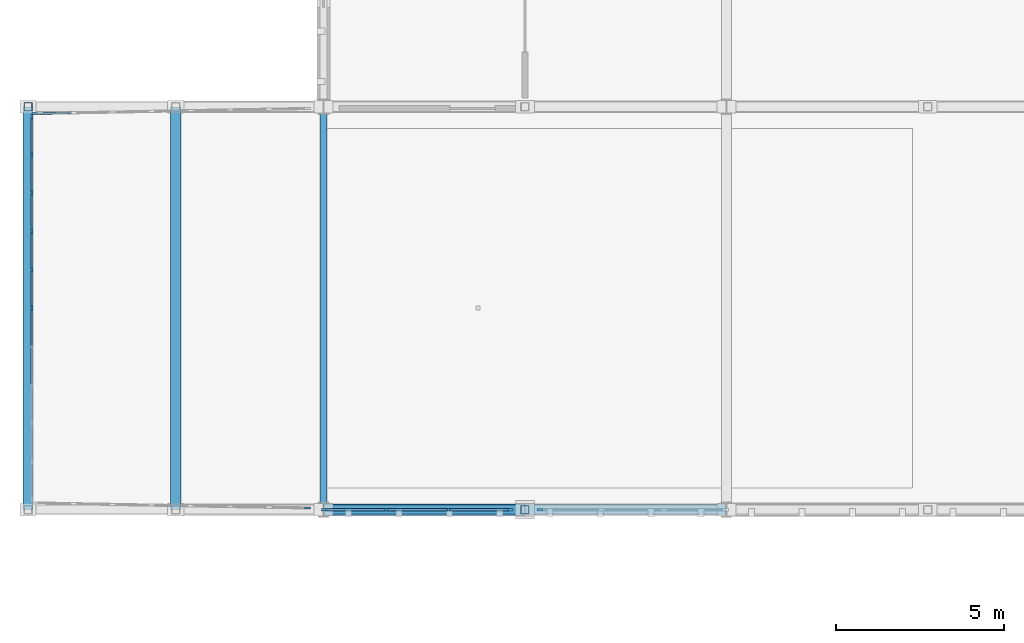
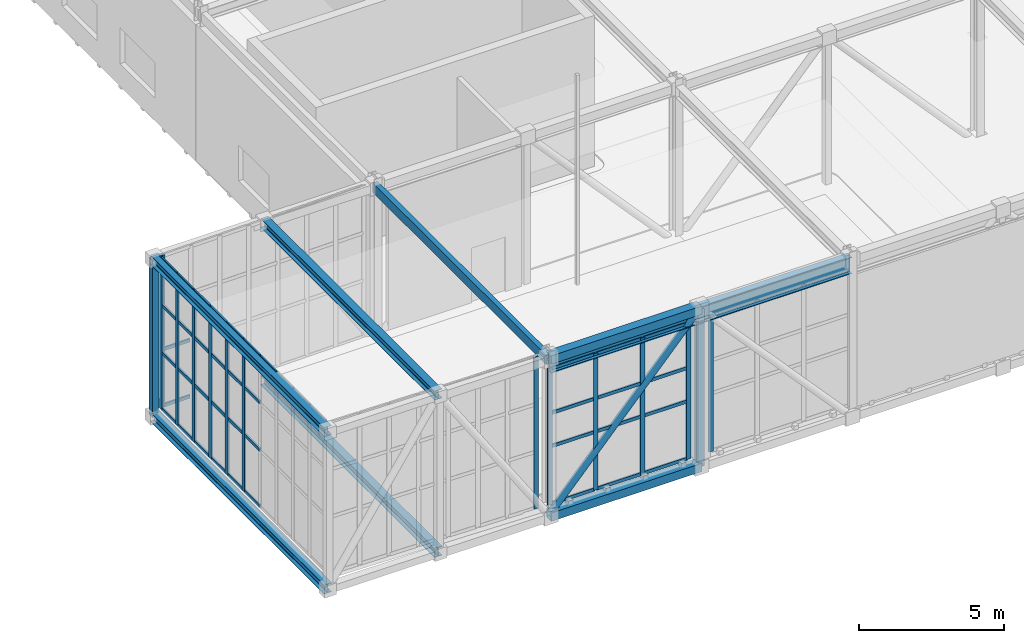
# One storey, part 13 of 62: 57 members, 6 beams, 5 elements without a shape of their own.
"""IFC4 building model written with IfcOpenShell, lengths in metres."""

from ifc_helpers import new_model, si_unit, direction, frame, origin, origin_2d, place, context, subcontext, project, spatial, rectangle, hollow_rectangle, hollow_circle, i_section, extrude, material, layer, layer_set, material_profile, profile_set, type_object, element, aggregate, save


model = new_model("IFC4")

# Units and contexts
model_context = context("Model", 3, precision=1e-05, world=origin(), true_north=direction((0.0, 1.0)))
body_context = subcontext(model_context, "Body", "Model", "MODEL_VIEW")
ifc_project = project(units=[si_unit("LENGTHUNIT", "METRE"), si_unit("AREAUNIT", "SQUARE_METRE"), si_unit("VOLUMEUNIT", "CUBIC_METRE"), si_unit("PLANEANGLEUNIT", "RADIAN"), si_unit("MASSUNIT", "GRAM", prefix="KILO")], contexts=[model_context])

# Site, building, storey
site_placement = place(None, origin())
site = spatial("IfcSite", under=ifc_project, at=site_placement, CompositionType="ELEMENT")
building_placement = place(site_placement, origin())
building = spatial("IfcBuilding", under=site, at=building_placement, Name="Zlatogorsky Bluff Art Gallery", CompositionType="ELEMENT")
storey_placement = place(building_placement, frame((0.0, 0.0, 16.800048828125)))
storey = spatial("IfcBuildingStorey", under=building, at=storey_placement, Name="L03", CompositionType="ELEMENT", Elevation=16.800048828125)

# Beams
ifc_material_1 = material(Name="Steel S355", Category="steel")
ifc_material_profile_1 = material_profile(ifc_material_1, i_section(OverallWidth=0.300048828125, OverallDepth=0.699951171875, WebThickness=0.01708984375, FlangeThickness=0.031982421875, FilletRadius=0.027099609375, at=origin_2d()), Name="HEB 700")
ifc_profile_set_1 = profile_set([ifc_material_profile_1], Name="Steel S355")
beam_type_1 = type_object("IfcBeamType", Name="Beam BM-02 HEB 700", PredefinedType="BEAM", material=ifc_profile_set_1)
beam_1_placement = place(storey_placement, frame((0.014892578125, 84.0, 5.97998046875), z_axis=(1.0, 0.0, 0.0), x_axis=(0.0, 1.0, 0.0)))
element("IfcBeam", 1, at=beam_1_placement, inside=storey, type_object=beam_type_1, Name="Primary girder BM-02 L03 A-B/9", PredefinedType="BEAM", context=body_context, shape_type="SweptSolid", body=[
    extrude(i_section(OverallWidth=0.300048828125, OverallDepth=0.699951171875, WebThickness=0.01708984375, FlangeThickness=0.031982421875, FilletRadius=0.027099609375, at=origin_2d()), origin(), (0.0, 0.0, 1.0), 11.97021484375),
])
ifc_material_profile_2 = material_profile(ifc_material_1, i_section(OverallWidth=0.300048828125, OverallDepth=0.389892578125, WebThickness=0.010986328125, FlangeThickness=0.01904296875, FilletRadius=0.027099609375, at=origin_2d()), Name="HEA 400")
ifc_profile_set_2 = profile_set([ifc_material_profile_2], Name="Steel S355")
beam_type_2 = type_object("IfcBeamType", Name="Beam BM-09 HEA 400", PredefinedType="BEAM", material=ifc_profile_set_2)
for number, where, z_axis, x_axis, name in (
    (2, (-8.800048828125, 84.0, -0.43505859375), (0.0, 1.0, 0.0), (-1.0, 0.0, 0.0), "Lookout floor cross-beam 1"),
    (3, (-8.800048828125, 84.0, 6.18505859375), (0.0, 1.0, 0.0), (-1.0, 0.0, 0.0), "Lookout roof cross-beam 1"),
    (4, (-4.39990234375, 84.0, -0.43505859375), (0.0, 1.0, 0.0), (-1.0, 0.0, 0.0), "Lookout floor cross-beam 2"),
    (5, (-4.39990234375, 84.0, 6.18505859375), (0.0, 1.0, 0.0), (-1.0, 0.0, 0.0), "Lookout roof cross-beam 2"),
):
    element("IfcBeam", number, at=place(storey_placement, frame(where, z_axis=z_axis, x_axis=x_axis)), inside=storey, type_object=beam_type_2, Name=name, PredefinedType="BEAM", context=body_context, shape_type="SweptSolid", body=[
        extrude(i_section(OverallWidth=0.300048828125, OverallDepth=0.389892578125, WebThickness=0.010986328125, FlangeThickness=0.01904296875, FilletRadius=0.027099609375, at=origin_2d()), origin(), (0.0, 0.0, 1.0), 12.0),
    ])
ifc_material_profile_3 = material_profile(ifc_material_1, hollow_rectangle(XDim=0.199951171875, YDim=0.39990234375, WallThickness=0.01611328125, at=origin_2d()), Name="RHS 400x200x16")
ifc_profile_set_3 = profile_set([ifc_material_profile_3], Name="Steel S355")
beam_type_3 = type_object("IfcBeamType", Name="Beam SP-02 RHS 400x200x16", PredefinedType="SPANDREL", material=ifc_profile_set_3)
beam_2_placement = place(storey_placement, frame((0.0, 84.014892578125, 6.1298828125), z_axis=(0.0, 1.0, 0.0), x_axis=(-1.0, 0.0, 0.0)))
element("IfcBeam", 6, at=beam_2_placement, inside=storey, type_object=beam_type_3, Name="Primary girder SP-02 L03 A/9-10", PredefinedType="SPANDREL", context=body_context, shape_type="SweptSolid", body=[
    extrude(hollow_rectangle(XDim=0.199951171875, YDim=0.39990234375, WallThickness=0.01611328125, at=origin_2d()), origin(), (0.0, 0.0, 1.0), 11.97021484375),
])

# Curtain wall, members
ifc_material_2 = material(Name="Anodised Bronze Aluminium and Low-Iron Triple Glazing", Category="aluminium")
ifc_layer_1 = layer(ifc_material_2, 0.219970703125)
ifc_layer_set_1 = layer_set([ifc_layer_1], Name="Curtain Wall CW-04")
curtain_wall_type_1 = type_object("IfcCurtainWallType", Name="Curtain Wall CW-04", PredefinedType="USERDEFINED", material=ifc_layer_set_1)
curtain_wall_1_placement = place(storey_placement, origin())
curtain_wall_1 = element("IfcCurtainWall", 7, at=curtain_wall_1_placement, inside=storey, type_object=curtain_wall_type_1, Name="Unitised curtain wall CW-04 L03 S 0.8-A", ObjectType="CURTAIN WALL", PredefinedType="USERDEFINED")
ifc_material_3 = material(Name="Anodised Bronze Aluminium", Category="aluminium")
ifc_material_profile_4 = material_profile(ifc_material_3, rectangle(XDim=0.06494140625, YDim=0.179931640625, at=origin_2d()), Name="ALU MULLION 65x180")
ifc_profile_set_4 = profile_set([ifc_material_profile_4], Name="Anodised Bronze Aluminium")
member_type_1 = type_object("IfcMemberType", Name="Curtain Mullion ML-01", PredefinedType="MULLION", material=ifc_profile_set_4)
member_1_placement = place(storey_placement, frame((0.032470703125, 84.0, 0.0), z_axis=(0.0, 0.0, 1.0), x_axis=(0.0, 1.0, 0.0)))
member_1 = element("IfcMember", 8, at=member_1_placement, type_object=member_type_1, Name="CW-04 mullion 1", PredefinedType="MULLION", context=body_context, shape_type="SweptSolid", body=[
    extrude(rectangle(XDim=0.06494140625, YDim=0.179931640625, at=origin_2d()), origin(), (0.0, 0.0, 1.0), 5.75),
])
member_2_placement = place(storey_placement, frame((1.860107421875, 84.0, 0.0), z_axis=(0.0, 0.0, 1.0), x_axis=(0.0, 1.0, 0.0)))
member_2 = element("IfcMember", 9, at=member_2_placement, type_object=member_type_1, Name="CW-04 mullion 2", PredefinedType="MULLION", context=body_context, shape_type="SweptSolid", body=[
    extrude(rectangle(XDim=0.06494140625, YDim=0.179931640625, at=origin_2d()), origin(), (0.0, 0.0, 1.0), 5.75),
])
member_3_placement = place(storey_placement, frame((3.719970703125, 84.0, 0.0), z_axis=(0.0, 0.0, 1.0), x_axis=(0.0, 1.0, 0.0)))
member_3 = element("IfcMember", 10, at=member_3_placement, type_object=member_type_1, Name="CW-04 mullion 3", PredefinedType="MULLION", context=body_context, shape_type="SweptSolid", body=[
    extrude(rectangle(XDim=0.06494140625, YDim=0.179931640625, at=origin_2d()), origin(), (0.0, 0.0, 1.0), 5.75),
])
member_4_placement = place(storey_placement, frame((5.547607421875, 84.0, 0.0), z_axis=(0.0, 0.0, 1.0), x_axis=(0.0, 1.0, 0.0)))
member_4 = element("IfcMember", 11, at=member_4_placement, type_object=member_type_1, Name="CW-04 mullion 4", PredefinedType="MULLION", context=body_context, shape_type="SweptSolid", body=[
    extrude(rectangle(XDim=0.06494140625, YDim=0.179931640625, at=origin_2d()), origin(), (0.0, 0.0, 1.0), 5.75),
])

# Curtain wall, member
curtain_wall_2_placement = place(storey_placement, origin())
curtain_wall_2 = element("IfcCurtainWall", 12, at=curtain_wall_2_placement, inside=storey, type_object=curtain_wall_type_1, Name="Unitised curtain wall CW-04 L03 S 0.8-B", ObjectType="CURTAIN WALL", PredefinedType="USERDEFINED")
member_5_placement = place(storey_placement, frame((6.452392578125, 84.0, 0.0), z_axis=(0.0, 0.0, 1.0), x_axis=(0.0, 1.0, 0.0)))
member_5 = element("IfcMember", 13, at=member_5_placement, type_object=member_type_1, Name="CW-04 mullion 1", PredefinedType="MULLION", context=body_context, shape_type="SweptSolid", body=[
    extrude(rectangle(XDim=0.06494140625, YDim=0.179931640625, at=origin_2d()), origin(), (0.0, 0.0, 1.0), 5.75),
])
aggregate(curtain_wall_2, [member_5])

# Curtain wall, members
ifc_layer_2 = layer(ifc_material_2, 0.179931640625)
ifc_layer_set_2 = layer_set([ifc_layer_2], Name="Curtain Wall CW-03")
curtain_wall_type_2 = type_object("IfcCurtainWallType", Name="Curtain Wall CW-03", PredefinedType="USERDEFINED", material=ifc_layer_set_2)
curtain_wall_3_placement = place(storey_placement, origin())
curtain_wall_3 = element("IfcCurtainWall", 14, at=curtain_wall_3_placement, inside=storey, type_object=curtain_wall_type_2, Name="Cantilevered lookout curtain wall W", ObjectType="CURTAIN WALL", PredefinedType="USERDEFINED")
member_6_placement = place(storey_placement, frame((-8.679931640625, 95.6875, 0.0), z_axis=(0.0, 0.0, 1.0), x_axis=(1.0, 0.0, 0.0)))
member_6 = element("IfcMember", 15, at=member_6_placement, type_object=member_type_1, Name="CW-03 mullion 1", PredefinedType="MULLION", context=body_context, shape_type="SweptSolid", body=[
    extrude(rectangle(XDim=0.06494140625, YDim=0.179931640625, at=origin_2d()), origin(), (0.0, 0.0, 1.0), 6.3798828125),
])
member_7_placement = place(storey_placement, frame((-8.679931640625, 94.575927734375, 0.0), z_axis=(0.0, 0.0, 1.0), x_axis=(1.0, 0.0, 0.0)))
member_7 = element("IfcMember", 16, at=member_7_placement, type_object=member_type_1, Name="CW-03 mullion 2", PredefinedType="MULLION", context=body_context, shape_type="SweptSolid", body=[
    extrude(rectangle(XDim=0.06494140625, YDim=0.179931640625, at=origin_2d()), origin(), (0.0, 0.0, 1.0), 6.3798828125),
])
member_8_placement = place(storey_placement, frame((-8.679931640625, 93.431884765625, 0.0), z_axis=(0.0, 0.0, 1.0), x_axis=(1.0, 0.0, 0.0)))
member_8 = element("IfcMember", 17, at=member_8_placement, type_object=member_type_1, Name="CW-03 mullion 3", PredefinedType="MULLION", context=body_context, shape_type="SweptSolid", body=[
    extrude(rectangle(XDim=0.06494140625, YDim=0.179931640625, at=origin_2d()), origin(), (0.0, 0.0, 1.0), 6.3798828125),
])
member_9_placement = place(storey_placement, frame((-8.679931640625, 92.2880859375, 0.0), z_axis=(0.0, 0.0, 1.0), x_axis=(1.0, 0.0, 0.0)))
member_9 = element("IfcMember", 18, at=member_9_placement, type_object=member_type_1, Name="CW-03 mullion 4", PredefinedType="MULLION", context=body_context, shape_type="SweptSolid", body=[
    extrude(rectangle(XDim=0.06494140625, YDim=0.179931640625, at=origin_2d()), origin(), (0.0, 0.0, 1.0), 6.3798828125),
])
member_10_placement = place(storey_placement, frame((-8.679931640625, 91.14404296875, 0.0), z_axis=(0.0, 0.0, 1.0), x_axis=(1.0, 0.0, 0.0)))
member_10 = element("IfcMember", 19, at=member_10_placement, type_object=member_type_1, Name="CW-03 mullion 5", PredefinedType="MULLION", context=body_context, shape_type="SweptSolid", body=[
    extrude(rectangle(XDim=0.06494140625, YDim=0.179931640625, at=origin_2d()), origin(), (0.0, 0.0, 1.0), 6.3798828125),
])
member_11_placement = place(storey_placement, frame((-8.679931640625, 90.0, 0.0), z_axis=(0.0, 0.0, 1.0), x_axis=(1.0, 0.0, 0.0)))
member_11 = element("IfcMember", 20, at=member_11_placement, type_object=member_type_1, Name="CW-03 mullion 6", PredefinedType="MULLION", context=body_context, shape_type="SweptSolid", body=[
    extrude(rectangle(XDim=0.06494140625, YDim=0.179931640625, at=origin_2d()), origin(), (0.0, 0.0, 1.0), 6.3798828125),
])

# Curtain wall, member
curtain_wall_4_placement = place(storey_placement, origin())
curtain_wall_4 = element("IfcCurtainWall", 21, at=curtain_wall_4_placement, inside=storey, type_object=curtain_wall_type_2, Name="Cantilevered lookout curtain wall S", ObjectType="CURTAIN WALL", PredefinedType="USERDEFINED")
member_12_placement = place(storey_placement, frame((-0.482421875, 84.050537109375, 0.0), z_axis=(0.0, 0.0, 1.0), x_axis=(0.018356759503, 0.999831500494, 0.0)))
member_12 = element("IfcMember", 22, at=member_12_placement, type_object=member_type_1, Name="CW-03 mullion 8", PredefinedType="MULLION", context=body_context, shape_type="SweptSolid", body=[
    extrude(rectangle(XDim=0.06494140625, YDim=0.179931640625, at=origin_2d()), origin(), (0.0, 0.0, 1.0), 6.3798828125),
])
aggregate(curtain_wall_4, [member_12])

curtain_wall_5_placement = place(storey_placement, origin())
curtain_wall_5 = element("IfcCurtainWall", 23, at=curtain_wall_5_placement, inside=storey, type_object=curtain_wall_type_2, Name="Cantilevered lookout curtain wall N", ObjectType="CURTAIN WALL", PredefinedType="USERDEFINED")
member_13_placement = place(storey_placement, frame((-8.58740234375, 95.800537109375, 0.0), z_axis=(0.0, 0.0, 1.0), x_axis=(0.018356759503, -0.999831500494, 0.0)))
member_13 = element("IfcMember", 24, at=member_13_placement, type_object=member_type_1, Name="CW-03 mullion 8", PredefinedType="MULLION", context=body_context, shape_type="SweptSolid", body=[
    extrude(rectangle(XDim=0.06494140625, YDim=0.179931640625, at=origin_2d()), origin(), (0.0, 0.0, 1.0), 6.3798828125),
])

# Member
ifc_material_profile_5 = material_profile(ifc_material_3, rectangle(XDim=0.06494140625, YDim=0.139892578125, at=origin_2d()), Name="ALU TRANSOM 65x140")
ifc_profile_set_5 = profile_set([ifc_material_profile_5], Name="Anodised Bronze Aluminium")
member_type_2 = type_object("IfcMemberType", Name="Curtain Transom TR-01", PredefinedType="USERDEFINED", material=ifc_profile_set_5)
member_14_placement = place(storey_placement, frame((0.06494140625, 84.0, 0.032470703125), z_axis=(1.0, 0.0, 0.0), x_axis=(0.0, 1.0, 0.0)))
member_14 = element("IfcMember", 25, at=member_14_placement, type_object=member_type_2, Name="CW-04 transom 1.1", ObjectType="TRANSOM", PredefinedType="USERDEFINED", context=body_context, shape_type="SweptSolid", body=[
    extrude(rectangle(XDim=0.06494140625, YDim=0.139892578125, at=origin_2d()), origin(), (0.0, 0.0, 1.0), 1.762451171875),
])

member_15_placement = place(storey_placement, frame((0.06494140625, 84.0, 2.449951171875), z_axis=(1.0, 0.0, 0.0), x_axis=(0.0, 1.0, 0.0)))
member_15 = element("IfcMember", 26, at=member_15_placement, type_object=member_type_2, Name="CW-04 transom 1.2", ObjectType="TRANSOM", PredefinedType="USERDEFINED", context=body_context, shape_type="SweptSolid", body=[
    extrude(rectangle(XDim=0.06494140625, YDim=0.139892578125, at=origin_2d()), origin(), (0.0, 0.0, 1.0), 1.762451171875),
])

member_16_placement = place(storey_placement, frame((0.06494140625, 84.0, 3.849853515625), z_axis=(1.0, 0.0, 0.0), x_axis=(0.0, 1.0, 0.0)))
member_16 = element("IfcMember", 27, at=member_16_placement, type_object=member_type_2, Name="CW-04 transom 1.3", ObjectType="TRANSOM", PredefinedType="USERDEFINED", context=body_context, shape_type="SweptSolid", body=[
    extrude(rectangle(XDim=0.06494140625, YDim=0.139892578125, at=origin_2d()), origin(), (0.0, 0.0, 1.0), 1.762451171875),
])

member_17_placement = place(storey_placement, frame((0.06494140625, 84.0, 5.717529296875), z_axis=(1.0, 0.0, 0.0), x_axis=(0.0, 1.0, 0.0)))
member_17 = element("IfcMember", 28, at=member_17_placement, type_object=member_type_2, Name="CW-04 transom 1.4", ObjectType="TRANSOM", PredefinedType="USERDEFINED", context=body_context, shape_type="SweptSolid", body=[
    extrude(rectangle(XDim=0.06494140625, YDim=0.139892578125, at=origin_2d()), origin(), (0.0, 0.0, 1.0), 1.762451171875),
])

member_18_placement = place(storey_placement, frame((1.892578125, 84.0, 0.032470703125), z_axis=(1.0, 0.0, 0.0), x_axis=(0.0, 1.0, 0.0)))
member_18 = element("IfcMember", 29, at=member_18_placement, type_object=member_type_2, Name="CW-04 transom 2.1", ObjectType="TRANSOM", PredefinedType="USERDEFINED", context=body_context, shape_type="SweptSolid", body=[
    extrude(rectangle(XDim=0.06494140625, YDim=0.139892578125, at=origin_2d()), origin(), (0.0, 0.0, 1.0), 1.794921875),
])

member_19_placement = place(storey_placement, frame((1.892578125, 84.0, 2.449951171875), z_axis=(1.0, 0.0, 0.0), x_axis=(0.0, 1.0, 0.0)))
member_19 = element("IfcMember", 30, at=member_19_placement, type_object=member_type_2, Name="CW-04 transom 2.2", ObjectType="TRANSOM", PredefinedType="USERDEFINED", context=body_context, shape_type="SweptSolid", body=[
    extrude(rectangle(XDim=0.06494140625, YDim=0.139892578125, at=origin_2d()), origin(), (0.0, 0.0, 1.0), 1.794921875),
])

member_20_placement = place(storey_placement, frame((1.892578125, 84.0, 3.849853515625), z_axis=(1.0, 0.0, 0.0), x_axis=(0.0, 1.0, 0.0)))
member_20 = element("IfcMember", 31, at=member_20_placement, type_object=member_type_2, Name="CW-04 transom 2.3", ObjectType="TRANSOM", PredefinedType="USERDEFINED", context=body_context, shape_type="SweptSolid", body=[
    extrude(rectangle(XDim=0.06494140625, YDim=0.139892578125, at=origin_2d()), origin(), (0.0, 0.0, 1.0), 1.794921875),
])

member_21_placement = place(storey_placement, frame((1.892578125, 84.0, 5.717529296875), z_axis=(1.0, 0.0, 0.0), x_axis=(0.0, 1.0, 0.0)))
member_21 = element("IfcMember", 32, at=member_21_placement, type_object=member_type_2, Name="CW-04 transom 2.4", ObjectType="TRANSOM", PredefinedType="USERDEFINED", context=body_context, shape_type="SweptSolid", body=[
    extrude(rectangle(XDim=0.06494140625, YDim=0.139892578125, at=origin_2d()), origin(), (0.0, 0.0, 1.0), 1.794921875),
])

member_22_placement = place(storey_placement, frame((3.75244140625, 84.0, 0.032470703125), z_axis=(1.0, 0.0, 0.0), x_axis=(0.0, 1.0, 0.0)))
member_22 = element("IfcMember", 33, at=member_22_placement, type_object=member_type_2, Name="CW-04 transom 3.1", ObjectType="TRANSOM", PredefinedType="USERDEFINED", context=body_context, shape_type="SweptSolid", body=[
    extrude(rectangle(XDim=0.06494140625, YDim=0.139892578125, at=origin_2d()), origin(), (0.0, 0.0, 1.0), 1.762451171875),
])

member_23_placement = place(storey_placement, frame((3.75244140625, 84.0, 2.449951171875), z_axis=(1.0, 0.0, 0.0), x_axis=(0.0, 1.0, 0.0)))
member_23 = element("IfcMember", 34, at=member_23_placement, type_object=member_type_2, Name="CW-04 transom 3.2", ObjectType="TRANSOM", PredefinedType="USERDEFINED", context=body_context, shape_type="SweptSolid", body=[
    extrude(rectangle(XDim=0.06494140625, YDim=0.139892578125, at=origin_2d()), origin(), (0.0, 0.0, 1.0), 1.762451171875),
])

member_24_placement = place(storey_placement, frame((3.75244140625, 84.0, 3.849853515625), z_axis=(1.0, 0.0, 0.0), x_axis=(0.0, 1.0, 0.0)))
member_24 = element("IfcMember", 35, at=member_24_placement, type_object=member_type_2, Name="CW-04 transom 3.3", ObjectType="TRANSOM", PredefinedType="USERDEFINED", context=body_context, shape_type="SweptSolid", body=[
    extrude(rectangle(XDim=0.06494140625, YDim=0.139892578125, at=origin_2d()), origin(), (0.0, 0.0, 1.0), 1.762451171875),
])

member_25_placement = place(storey_placement, frame((3.75244140625, 84.0, 5.717529296875), z_axis=(1.0, 0.0, 0.0), x_axis=(0.0, 1.0, 0.0)))
member_25 = element("IfcMember", 36, at=member_25_placement, type_object=member_type_2, Name="CW-04 transom 3.4", ObjectType="TRANSOM", PredefinedType="USERDEFINED", context=body_context, shape_type="SweptSolid", body=[
    extrude(rectangle(XDim=0.06494140625, YDim=0.139892578125, at=origin_2d()), origin(), (0.0, 0.0, 1.0), 1.762451171875),
])

aggregate(curtain_wall_1, [member_1, member_2, member_3, member_4, member_14, member_15, member_16, member_17, member_18, member_19, member_20, member_21, member_22, member_23, member_24, member_25])

member_26_placement = place(storey_placement, frame((-8.679931640625, 95.655029296875, 0.032470703125), z_axis=(0.0, -1.0, 0.0), x_axis=(1.0, 0.0, 0.0)))
member_26 = element("IfcMember", 37, at=member_26_placement, type_object=member_type_2, Name="CW-03 transom 1.1", ObjectType="TRANSOM", PredefinedType="USERDEFINED", context=body_context, shape_type="SweptSolid", body=[
    extrude(rectangle(XDim=0.06494140625, YDim=0.139892578125, at=origin_2d()), origin(), (0.0, 0.0, 1.0), 1.046630859375),
])

member_27_placement = place(storey_placement, frame((-8.679931640625, 95.655029296875, 2.39990234375), z_axis=(0.0, -1.0, 0.0), x_axis=(1.0, 0.0, 0.0)))
member_27 = element("IfcMember", 38, at=member_27_placement, type_object=member_type_2, Name="CW-03 transom 1.2", ObjectType="TRANSOM", PredefinedType="USERDEFINED", context=body_context, shape_type="SweptSolid", body=[
    extrude(rectangle(XDim=0.06494140625, YDim=0.139892578125, at=origin_2d()), origin(), (0.0, 0.0, 1.0), 1.046630859375),
])

member_28_placement = place(storey_placement, frame((-8.679931640625, 95.655029296875, 4.39990234375), z_axis=(0.0, -1.0, 0.0), x_axis=(1.0, 0.0, 0.0)))
member_28 = element("IfcMember", 39, at=member_28_placement, type_object=member_type_2, Name="CW-03 transom 1.3", ObjectType="TRANSOM", PredefinedType="USERDEFINED", context=body_context, shape_type="SweptSolid", body=[
    extrude(rectangle(XDim=0.06494140625, YDim=0.139892578125, at=origin_2d()), origin(), (0.0, 0.0, 1.0), 1.046630859375),
])

member_29_placement = place(storey_placement, frame((-8.679931640625, 95.655029296875, 6.347412109375), z_axis=(0.0, -1.0, 0.0), x_axis=(1.0, 0.0, 0.0)))
member_29 = element("IfcMember", 40, at=member_29_placement, type_object=member_type_2, Name="CW-03 transom 1.4", ObjectType="TRANSOM", PredefinedType="USERDEFINED", context=body_context, shape_type="SweptSolid", body=[
    extrude(rectangle(XDim=0.06494140625, YDim=0.139892578125, at=origin_2d()), origin(), (0.0, 0.0, 1.0), 1.046630859375),
])

member_30_placement = place(storey_placement, frame((-8.679931640625, 94.54345703125, 0.032470703125), z_axis=(0.0, -1.0, 0.0), x_axis=(1.0, 0.0, 0.0)))
member_30 = element("IfcMember", 41, at=member_30_placement, type_object=member_type_2, Name="CW-03 transom 2.1", ObjectType="TRANSOM", PredefinedType="USERDEFINED", context=body_context, shape_type="SweptSolid", body=[
    extrude(rectangle(XDim=0.06494140625, YDim=0.139892578125, at=origin_2d()), origin(), (0.0, 0.0, 1.0), 1.078857421875),
])

member_31_placement = place(storey_placement, frame((-8.679931640625, 94.54345703125, 2.39990234375), z_axis=(0.0, -1.0, 0.0), x_axis=(1.0, 0.0, 0.0)))
member_31 = element("IfcMember", 42, at=member_31_placement, type_object=member_type_2, Name="CW-03 transom 2.2", ObjectType="TRANSOM", PredefinedType="USERDEFINED", context=body_context, shape_type="SweptSolid", body=[
    extrude(rectangle(XDim=0.06494140625, YDim=0.139892578125, at=origin_2d()), origin(), (0.0, 0.0, 1.0), 1.078857421875),
])

member_32_placement = place(storey_placement, frame((-8.679931640625, 94.54345703125, 4.39990234375), z_axis=(0.0, -1.0, 0.0), x_axis=(1.0, 0.0, 0.0)))
member_32 = element("IfcMember", 43, at=member_32_placement, type_object=member_type_2, Name="CW-03 transom 2.3", ObjectType="TRANSOM", PredefinedType="USERDEFINED", context=body_context, shape_type="SweptSolid", body=[
    extrude(rectangle(XDim=0.06494140625, YDim=0.139892578125, at=origin_2d()), origin(), (0.0, 0.0, 1.0), 1.078857421875),
])

member_33_placement = place(storey_placement, frame((-8.679931640625, 94.54345703125, 6.347412109375), z_axis=(0.0, -1.0, 0.0), x_axis=(1.0, 0.0, 0.0)))
member_33 = element("IfcMember", 44, at=member_33_placement, type_object=member_type_2, Name="CW-03 transom 2.4", ObjectType="TRANSOM", PredefinedType="USERDEFINED", context=body_context, shape_type="SweptSolid", body=[
    extrude(rectangle(XDim=0.06494140625, YDim=0.139892578125, at=origin_2d()), origin(), (0.0, 0.0, 1.0), 1.078857421875),
])

member_34_placement = place(storey_placement, frame((-8.679931640625, 93.3994140625, 0.032470703125), z_axis=(0.0, -1.0, 0.0), x_axis=(1.0, 0.0, 0.0)))
member_34 = element("IfcMember", 45, at=member_34_placement, type_object=member_type_2, Name="CW-03 transom 3.1", ObjectType="TRANSOM", PredefinedType="USERDEFINED", context=body_context, shape_type="SweptSolid", body=[
    extrude(rectangle(XDim=0.06494140625, YDim=0.139892578125, at=origin_2d()), origin(), (0.0, 0.0, 1.0), 1.078857421875),
])

member_35_placement = place(storey_placement, frame((-8.679931640625, 93.3994140625, 2.39990234375), z_axis=(0.0, -1.0, 0.0), x_axis=(1.0, 0.0, 0.0)))
member_35 = element("IfcMember", 46, at=member_35_placement, type_object=member_type_2, Name="CW-03 transom 3.2", ObjectType="TRANSOM", PredefinedType="USERDEFINED", context=body_context, shape_type="SweptSolid", body=[
    extrude(rectangle(XDim=0.06494140625, YDim=0.139892578125, at=origin_2d()), origin(), (0.0, 0.0, 1.0), 1.078857421875),
])

member_36_placement = place(storey_placement, frame((-8.679931640625, 93.3994140625, 4.39990234375), z_axis=(0.0, -1.0, 0.0), x_axis=(1.0, 0.0, 0.0)))
member_36 = element("IfcMember", 47, at=member_36_placement, type_object=member_type_2, Name="CW-03 transom 3.3", ObjectType="TRANSOM", PredefinedType="USERDEFINED", context=body_context, shape_type="SweptSolid", body=[
    extrude(rectangle(XDim=0.06494140625, YDim=0.139892578125, at=origin_2d()), origin(), (0.0, 0.0, 1.0), 1.078857421875),
])

member_37_placement = place(storey_placement, frame((-8.679931640625, 93.3994140625, 6.347412109375), z_axis=(0.0, -1.0, 0.0), x_axis=(1.0, 0.0, 0.0)))
member_37 = element("IfcMember", 48, at=member_37_placement, type_object=member_type_2, Name="CW-03 transom 3.4", ObjectType="TRANSOM", PredefinedType="USERDEFINED", context=body_context, shape_type="SweptSolid", body=[
    extrude(rectangle(XDim=0.06494140625, YDim=0.139892578125, at=origin_2d()), origin(), (0.0, 0.0, 1.0), 1.078857421875),
])

member_38_placement = place(storey_placement, frame((-8.679931640625, 92.255615234375, 0.032470703125), z_axis=(0.0, -1.0, 0.0), x_axis=(1.0, 0.0, 0.0)))
member_38 = element("IfcMember", 49, at=member_38_placement, type_object=member_type_2, Name="CW-03 transom 4.1", ObjectType="TRANSOM", PredefinedType="USERDEFINED", context=body_context, shape_type="SweptSolid", body=[
    extrude(rectangle(XDim=0.06494140625, YDim=0.139892578125, at=origin_2d()), origin(), (0.0, 0.0, 1.0), 1.0791015625),
])

member_39_placement = place(storey_placement, frame((-8.679931640625, 92.255615234375, 2.39990234375), z_axis=(0.0, -1.0, 0.0), x_axis=(1.0, 0.0, 0.0)))
member_39 = element("IfcMember", 50, at=member_39_placement, type_object=member_type_2, Name="CW-03 transom 4.2", ObjectType="TRANSOM", PredefinedType="USERDEFINED", context=body_context, shape_type="SweptSolid", body=[
    extrude(rectangle(XDim=0.06494140625, YDim=0.139892578125, at=origin_2d()), origin(), (0.0, 0.0, 1.0), 1.0791015625),
])

member_40_placement = place(storey_placement, frame((-8.679931640625, 92.255615234375, 4.39990234375), z_axis=(0.0, -1.0, 0.0), x_axis=(1.0, 0.0, 0.0)))
member_40 = element("IfcMember", 51, at=member_40_placement, type_object=member_type_2, Name="CW-03 transom 4.3", ObjectType="TRANSOM", PredefinedType="USERDEFINED", context=body_context, shape_type="SweptSolid", body=[
    extrude(rectangle(XDim=0.06494140625, YDim=0.139892578125, at=origin_2d()), origin(), (0.0, 0.0, 1.0), 1.0791015625),
])

member_41_placement = place(storey_placement, frame((-8.679931640625, 92.255615234375, 6.347412109375), z_axis=(0.0, -1.0, 0.0), x_axis=(1.0, 0.0, 0.0)))
member_41 = element("IfcMember", 52, at=member_41_placement, type_object=member_type_2, Name="CW-03 transom 4.4", ObjectType="TRANSOM", PredefinedType="USERDEFINED", context=body_context, shape_type="SweptSolid", body=[
    extrude(rectangle(XDim=0.06494140625, YDim=0.139892578125, at=origin_2d()), origin(), (0.0, 0.0, 1.0), 1.0791015625),
])

member_42_placement = place(storey_placement, frame((-8.679931640625, 91.111572265625, 0.032470703125), z_axis=(0.0, -1.0, 0.0), x_axis=(1.0, 0.0, 0.0)))
member_42 = element("IfcMember", 53, at=member_42_placement, type_object=member_type_2, Name="CW-03 transom 5.1", ObjectType="TRANSOM", PredefinedType="USERDEFINED", context=body_context, shape_type="SweptSolid", body=[
    extrude(rectangle(XDim=0.06494140625, YDim=0.139892578125, at=origin_2d()), origin(), (0.0, 0.0, 1.0), 1.0791015625),
])

member_43_placement = place(storey_placement, frame((-8.679931640625, 91.111572265625, 2.39990234375), z_axis=(0.0, -1.0, 0.0), x_axis=(1.0, 0.0, 0.0)))
member_43 = element("IfcMember", 54, at=member_43_placement, type_object=member_type_2, Name="CW-03 transom 5.2", ObjectType="TRANSOM", PredefinedType="USERDEFINED", context=body_context, shape_type="SweptSolid", body=[
    extrude(rectangle(XDim=0.06494140625, YDim=0.139892578125, at=origin_2d()), origin(), (0.0, 0.0, 1.0), 1.0791015625),
])

member_44_placement = place(storey_placement, frame((-8.679931640625, 91.111572265625, 4.39990234375), z_axis=(0.0, -1.0, 0.0), x_axis=(1.0, 0.0, 0.0)))
member_44 = element("IfcMember", 55, at=member_44_placement, type_object=member_type_2, Name="CW-03 transom 5.3", ObjectType="TRANSOM", PredefinedType="USERDEFINED", context=body_context, shape_type="SweptSolid", body=[
    extrude(rectangle(XDim=0.06494140625, YDim=0.139892578125, at=origin_2d()), origin(), (0.0, 0.0, 1.0), 1.0791015625),
])

member_45_placement = place(storey_placement, frame((-8.679931640625, 91.111572265625, 6.347412109375), z_axis=(0.0, -1.0, 0.0), x_axis=(1.0, 0.0, 0.0)))
member_45 = element("IfcMember", 56, at=member_45_placement, type_object=member_type_2, Name="CW-03 transom 5.4", ObjectType="TRANSOM", PredefinedType="USERDEFINED", context=body_context, shape_type="SweptSolid", body=[
    extrude(rectangle(XDim=0.06494140625, YDim=0.139892578125, at=origin_2d()), origin(), (0.0, 0.0, 1.0), 1.0791015625),
])

member_46_placement = place(storey_placement, frame((-8.679931640625, 89.967529296875, 0.032470703125), z_axis=(0.0, -1.0, 0.0), x_axis=(1.0, 0.0, 0.0)))
member_46 = element("IfcMember", 57, at=member_46_placement, type_object=member_type_2, Name="CW-03 transom 6.1", ObjectType="TRANSOM", PredefinedType="USERDEFINED", context=body_context, shape_type="SweptSolid", body=[
    extrude(rectangle(XDim=0.06494140625, YDim=0.139892578125, at=origin_2d()), origin(), (0.0, 0.0, 1.0), 1.0791015625),
])

member_47_placement = place(storey_placement, frame((-8.679931640625, 89.967529296875, 2.39990234375), z_axis=(0.0, -1.0, 0.0), x_axis=(1.0, 0.0, 0.0)))
member_47 = element("IfcMember", 58, at=member_47_placement, type_object=member_type_2, Name="CW-03 transom 6.2", ObjectType="TRANSOM", PredefinedType="USERDEFINED", context=body_context, shape_type="SweptSolid", body=[
    extrude(rectangle(XDim=0.06494140625, YDim=0.139892578125, at=origin_2d()), origin(), (0.0, 0.0, 1.0), 1.0791015625),
])

member_48_placement = place(storey_placement, frame((-8.679931640625, 89.967529296875, 4.39990234375), z_axis=(0.0, -1.0, 0.0), x_axis=(1.0, 0.0, 0.0)))
member_48 = element("IfcMember", 59, at=member_48_placement, type_object=member_type_2, Name="CW-03 transom 6.3", ObjectType="TRANSOM", PredefinedType="USERDEFINED", context=body_context, shape_type="SweptSolid", body=[
    extrude(rectangle(XDim=0.06494140625, YDim=0.139892578125, at=origin_2d()), origin(), (0.0, 0.0, 1.0), 1.0791015625),
])

member_49_placement = place(storey_placement, frame((-8.679931640625, 89.967529296875, 6.347412109375), z_axis=(0.0, -1.0, 0.0), x_axis=(1.0, 0.0, 0.0)))
member_49 = element("IfcMember", 60, at=member_49_placement, type_object=member_type_2, Name="CW-03 transom 6.4", ObjectType="TRANSOM", PredefinedType="USERDEFINED", context=body_context, shape_type="SweptSolid", body=[
    extrude(rectangle(XDim=0.06494140625, YDim=0.139892578125, at=origin_2d()), origin(), (0.0, 0.0, 1.0), 1.0791015625),
])

member_50_placement = place(storey_placement, frame((-8.679931640625, 88.823486328125, 6.347412109375), z_axis=(0.0, -1.0, 0.0), x_axis=(1.0, 0.0, 0.0)))
member_50 = element("IfcMember", 61, at=member_50_placement, type_object=member_type_2, Name="CW-03 transom 7.4", ObjectType="TRANSOM", PredefinedType="USERDEFINED", context=body_context, shape_type="SweptSolid", body=[
    extrude(rectangle(XDim=0.06494140625, YDim=0.139892578125, at=origin_2d()), origin(), (0.0, 0.0, 1.0), 1.0791015625),
])

aggregate(curtain_wall_3, [member_6, member_7, member_8, member_9, member_10, member_11, member_26, member_27, member_28, member_29, member_30, member_31, member_32, member_33, member_34, member_35, member_36, member_37, member_38, member_39, member_40, member_41, member_42, member_43, member_44, member_45, member_46, member_47, member_48, member_49, member_50])

member_51_placement = place(storey_placement, frame((-7.4853515625, 95.82080078125, 0.032470703125), z_axis=(-0.999833315631, -0.018257627311, 0.0), x_axis=(0.018257627311, -0.999833315631, 0.0)))
member_51 = element("IfcMember", 62, at=member_51_placement, type_object=member_type_2, Name="CW-03 transom 7.1", ObjectType="TRANSOM", PredefinedType="USERDEFINED", context=body_context, shape_type="SweptSolid", body=[
    extrude(rectangle(XDim=0.06494140625, YDim=0.139892578125, at=origin_2d()), origin(), (0.0, 0.0, 1.0), 1.06982421875),
])

member_52_placement = place(storey_placement, frame((-7.4853515625, 95.82080078125, 2.39990234375), z_axis=(-0.999833315631, -0.018257627311, 0.0), x_axis=(0.018257627311, -0.999833315631, 0.0)))
member_52 = element("IfcMember", 63, at=member_52_placement, type_object=member_type_2, Name="CW-03 transom 7.2", ObjectType="TRANSOM", PredefinedType="USERDEFINED", context=body_context, shape_type="SweptSolid", body=[
    extrude(rectangle(XDim=0.06494140625, YDim=0.139892578125, at=origin_2d()), origin(), (0.0, 0.0, 1.0), 1.06982421875),
])

aggregate(curtain_wall_5, [member_13, member_51, member_52])

# Members
ifc_material_profile_6 = material_profile(ifc_material_1, hollow_rectangle(XDim=0.35009765625, YDim=0.35009765625, WallThickness=0.01611328125, at=origin_2d()), Name="SHS 350x350x16")
ifc_profile_set_6 = profile_set([ifc_material_profile_6], Name="Steel S355")
member_type_3 = type_object("IfcMemberType", Name="Member TC-01 SHS 350x350x16", PredefinedType="CHORD", material=ifc_profile_set_6)
for number, where, z_axis, x_axis, name in (
    (64, (0.0, 84.0, -0.4150390625), (1.0, 0.0, 0.0), (0.0, 1.0, 0.0), "Lookout cantilever truss bottom chord S.3"),
    (65, (0.0, 84.0, 6.204833984375), (1.0, 0.0, 0.0), (0.0, 1.0, 0.0), "Lookout cantilever truss top chord S.3"),
):
    element("IfcMember", number, at=place(storey_placement, frame(where, z_axis=z_axis, x_axis=x_axis)), inside=storey, type_object=member_type_3, Name=name, PredefinedType="CHORD", context=body_context, shape_type="SweptSolid", body=[
        extrude(hollow_rectangle(XDim=0.35009765625, YDim=0.35009765625, WallThickness=0.01611328125, at=origin_2d()), origin(), (0.0, 0.0, 1.0), 6.0),
    ])
ifc_material_profile_7 = material_profile(ifc_material_1, hollow_circle(Radius=0.136474609375, WallThickness=0.01611328125, at=origin_2d()), Name="CHS 273x16")
ifc_profile_set_7 = profile_set([ifc_material_profile_7], Name="Steel S355")
member_type_4 = type_object("IfcMemberType", Name="Member TD-01 CHS 273x16", PredefinedType="BRACE", material=ifc_profile_set_7)
member_53_placement = place(storey_placement, frame((0.0, 84.0, -0.4150390625), z_axis=(0.671564903392, 0.0, 0.740945733865), x_axis=(0.0, 1.0, 0.0)))
element("IfcMember", 66, at=member_53_placement, inside=storey, type_object=member_type_4, Name="Lookout cantilever truss web diagonal S.3", PredefinedType="BRACE", context=body_context, shape_type="SweptSolid", body=[
    extrude(hollow_circle(Radius=0.136474609375, WallThickness=0.01611328125, at=origin_2d()), origin(), (0.0, 0.0, 1.0), 8.934326171875),
])
ifc_material_profile_8 = material_profile(ifc_material_1, hollow_rectangle(XDim=0.25, YDim=0.25, WallThickness=0.01611328125, at=origin_2d()), Name="SHS 250x250x16")
ifc_profile_set_8 = profile_set([ifc_material_profile_8], Name="Steel S355")
member_type_5 = type_object("IfcMemberType", Name="Member TP-01 SHS 250x250x16", PredefinedType="POST", material=ifc_profile_set_8)
for number, where, z_axis, x_axis, name in (
    (67, (6.0, 84.0, -0.4150390625), (0.0, 0.0, 1.0), (1.0, 0.0, 0.0), "Lookout cantilever truss post S.4"),
    (68, (-8.800048828125, 96.0, -0.4150390625), (0.0, 0.0, 1.0), (1.0, 0.0, 0.0), "Lookout cantilever truss post N.1"),
):
    element("IfcMember", number, at=place(storey_placement, frame(where, z_axis=z_axis, x_axis=x_axis)), inside=storey, type_object=member_type_5, Name=name, PredefinedType="POST", context=body_context, shape_type="SweptSolid", body=[
        extrude(hollow_rectangle(XDim=0.25, YDim=0.25, WallThickness=0.01611328125, at=origin_2d()), origin(), (0.0, 0.0, 1.0), 6.619873046875),
    ])

save(model, "model.ifc")
